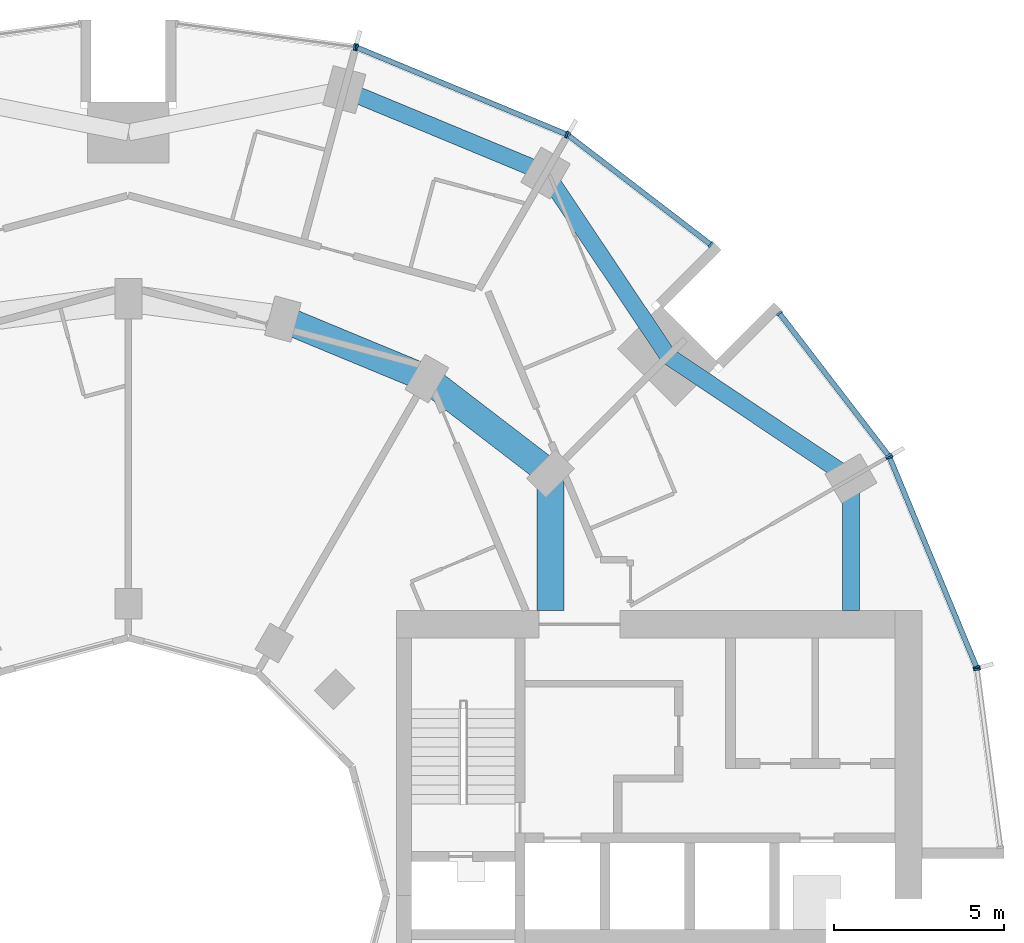
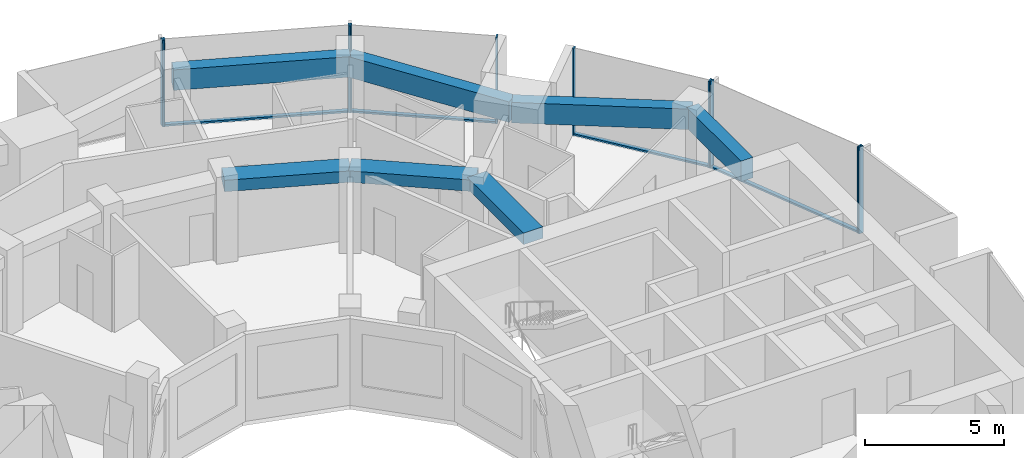
# One storey, part 6 of 15: 14 members, 7 beams, 6 elements without a shape of their own.
"""IFC4 building model written with IfcOpenShell, lengths in metres."""

from ifc_helpers import new_model, si_unit, direction, frame, origin, origin_2d, place, context, subcontext, project, spatial, rectangle, extrude, material, layer, layer_set, material_profile, profile_set, type_object, element, aggregate, save


model = new_model("IFC4")

# Units and contexts
model_context = context("Model", 3, precision=1e-05, world=origin(), true_north=direction((0.0, 1.0)))
body_context = subcontext(model_context, "Body", "Model", "MODEL_VIEW")
ifc_project = project(units=[si_unit("LENGTHUNIT", "METRE"), si_unit("AREAUNIT", "SQUARE_METRE"), si_unit("VOLUMEUNIT", "CUBIC_METRE"), si_unit("PLANEANGLEUNIT", "RADIAN"), si_unit("MASSUNIT", "GRAM", prefix="KILO")], contexts=[model_context])

# Site, building, storey
site_placement = place(None, origin())
site = spatial("IfcSite", under=ifc_project, at=site_placement, CompositionType="ELEMENT")
building_placement = place(site_placement, origin())
building = spatial("IfcBuilding", under=site, at=building_placement, Name="Torre Brocal", CompositionType="ELEMENT")
storey_placement = place(building_placement, frame((0.0, 0.0, 86.199951171875)))
storey = spatial("IfcBuildingStorey", under=building, at=storey_placement, Name="L19", CompositionType="ELEMENT", Elevation=86.199951171875)

# Curtain wall, members
ifc_material_1 = material(Name="Aluminium and glass", Category="aluminium")
ifc_layer_1 = layer(ifc_material_1, 0.199951171875)
ifc_layer_set_1 = layer_set([ifc_layer_1], Name="Aluminium and glass")
curtain_wall_type_1 = type_object("IfcCurtainWallType", Name="CW-1 CURTAIN WALL 3800 HIGH", PredefinedType="NOTDEFINED", material=ifc_layer_set_1)
curtain_wall_1_placement = place(storey_placement, origin())
curtain_wall_1 = element("IfcCurtainWall", 1, at=curtain_wall_1_placement, inside=storey, type_object=curtain_wall_type_1, Name="CW-1 RUN 2", PredefinedType="NOTDEFINED")
ifc_material_2 = material(Name="Aluminium, dark anodised", Category="aluminium")
ifc_material_profile_1 = material_profile(ifc_material_2, rectangle(XDim=0.199951171875, YDim=0.06005859375, at=origin_2d()), Name="CW-1 MULLION 60X200")
ifc_profile_set_1 = profile_set([ifc_material_profile_1], Name="Aluminium, dark anodised")
member_type_1 = type_object("IfcMemberType", Name="CW-1 MULLION 60X200", PredefinedType="MULLION", material=ifc_profile_set_1)
member_1_placement = place(storey_placement, frame((105.005126953125, 81.73095703125, 0.0), z_axis=(0.0, 0.0, 1.0), x_axis=(-0.923879532525, -0.382683432333, 0.0)))
member_1 = element("IfcMember", 2, at=member_1_placement, type_object=member_type_1, Name="CW1-1 mullion 1", PredefinedType="MULLION", context=body_context, shape_type="SweptSolid", body=[
    extrude(rectangle(XDim=0.199951171875, YDim=0.06005859375, at=origin_2d()), origin(), (0.0, 0.0, 1.0), 3.800048828125),
])
member_2_placement = place(storey_placement, frame((102.440673828125, 87.921875, 0.0), z_axis=(0.0, 0.0, 1.0), x_axis=(-0.923879532525, -0.382683432333, 0.0)))
member_2 = element("IfcMember", 3, at=member_2_placement, type_object=member_type_1, Name="CW1-1 mullion 2", PredefinedType="MULLION", context=body_context, shape_type="SweptSolid", body=[
    extrude(rectangle(XDim=0.199951171875, YDim=0.06005859375, at=origin_2d()), origin(), (0.0, 0.0, 1.0), 3.800048828125),
])

curtain_wall_2_placement = place(storey_placement, origin())
curtain_wall_2 = element("IfcCurtainWall", 4, at=curtain_wall_2_placement, inside=storey, type_object=curtain_wall_type_1, Name="CW-1 RUN 3", PredefinedType="NOTDEFINED")
member_3_placement = place(storey_placement, frame((102.4111328125, 87.973388671875, 0.0), z_axis=(0.0, 0.0, 1.0), x_axis=(-0.793353340259, -0.60876142905, 0.0)))
member_3 = element("IfcMember", 5, at=member_3_placement, type_object=member_type_1, Name="CW1-1 mullion 1", PredefinedType="MULLION", context=body_context, shape_type="SweptSolid", body=[
    extrude(rectangle(XDim=0.199951171875, YDim=0.06005859375, at=origin_2d()), origin(), (0.0, 0.0, 1.0), 3.800048828125),
])
member_4_placement = place(storey_placement, frame((99.19140625, 92.16943359375, 0.0), z_axis=(0.0, 0.0, 1.0), x_axis=(-0.793353340259, -0.60876142905, 0.0)))
member_4 = element("IfcMember", 6, at=member_4_placement, type_object=member_type_1, Name="CW1-1 mullion 2", PredefinedType="MULLION", context=body_context, shape_type="SweptSolid", body=[
    extrude(rectangle(XDim=0.199951171875, YDim=0.06005859375, at=origin_2d()), origin(), (0.0, 0.0, 1.0), 3.800048828125),
])

curtain_wall_3_placement = place(storey_placement, origin())
curtain_wall_3 = element("IfcCurtainWall", 7, at=curtain_wall_3_placement, inside=storey, type_object=curtain_wall_type_1, Name="CW-1 RUN 4", PredefinedType="NOTDEFINED")
member_5_placement = place(storey_placement, frame((97.16943359375, 94.19140625, 0.0), z_axis=(0.0, 0.0, 1.0), x_axis=(-0.60876142905, -0.793353340259, 0.0)))
member_5 = element("IfcMember", 8, at=member_5_placement, type_object=member_type_1, Name="CW1-1 mullion 1", PredefinedType="MULLION", context=body_context, shape_type="SweptSolid", body=[
    extrude(rectangle(XDim=0.199951171875, YDim=0.06005859375, at=origin_2d()), origin(), (0.0, 0.0, 1.0), 3.800048828125),
])
member_6_placement = place(storey_placement, frame((92.973388671875, 97.4111328125, 0.0), z_axis=(0.0, 0.0, 1.0), x_axis=(-0.60876142905, -0.793353340259, 0.0)))
member_6 = element("IfcMember", 9, at=member_6_placement, type_object=member_type_1, Name="CW1-1 mullion 2", PredefinedType="MULLION", context=body_context, shape_type="SweptSolid", body=[
    extrude(rectangle(XDim=0.199951171875, YDim=0.06005859375, at=origin_2d()), origin(), (0.0, 0.0, 1.0), 3.800048828125),
])

curtain_wall_4_placement = place(storey_placement, origin())
curtain_wall_4 = element("IfcCurtainWall", 10, at=curtain_wall_4_placement, inside=storey, type_object=curtain_wall_type_1, Name="CW-1 RUN 5", PredefinedType="NOTDEFINED")
member_7_placement = place(storey_placement, frame((92.921875, 97.440673828125, 0.0), z_axis=(0.0, 0.0, 1.0), x_axis=(-0.382683432333, -0.923879532525, 0.0)))
member_7 = element("IfcMember", 11, at=member_7_placement, type_object=member_type_1, Name="CW1-1 mullion 1", PredefinedType="MULLION", context=body_context, shape_type="SweptSolid", body=[
    extrude(rectangle(XDim=0.199951171875, YDim=0.06005859375, at=origin_2d()), origin(), (0.0, 0.0, 1.0), 3.800048828125),
])
member_8_placement = place(storey_placement, frame((86.73095703125, 100.005126953125, 0.0), z_axis=(0.0, 0.0, 1.0), x_axis=(-0.382683432333, -0.923879532525, 0.0)))
member_8 = element("IfcMember", 12, at=member_8_placement, type_object=member_type_1, Name="CW1-1 mullion 2", PredefinedType="MULLION", context=body_context, shape_type="SweptSolid", body=[
    extrude(rectangle(XDim=0.199951171875, YDim=0.06005859375, at=origin_2d()), origin(), (0.0, 0.0, 1.0), 3.800048828125),
])

# Curtain wall, member
curtain_wall_5_placement = place(storey_placement, origin())
curtain_wall_5 = element("IfcCurtainWall", 13, at=curtain_wall_5_placement, inside=storey, type_object=curtain_wall_type_1, Name="CW-1 RUN 6", PredefinedType="NOTDEFINED")
member_9_placement = place(storey_placement, frame((86.67333984375, 100.0205078125, 0.0), z_axis=(0.0, 0.0, 1.0), x_axis=(-0.13052619222, -0.991444861374, 0.0)))
member_9 = element("IfcMember", 14, at=member_9_placement, type_object=member_type_1, Name="CW1-1 mullion 1", PredefinedType="MULLION", context=body_context, shape_type="SweptSolid", body=[
    extrude(rectangle(XDim=0.199951171875, YDim=0.06005859375, at=origin_2d()), origin(), (0.0, 0.0, 1.0), 3.800048828125),
])
aggregate(curtain_wall_5, [member_9])

# Member
ifc_material_3 = material(Name="Aluminium, dark anodised", Category="aluminium")
ifc_material_profile_2 = material_profile(ifc_material_3, rectangle(XDim=0.159912109375, YDim=0.080078125, at=origin_2d()), Name="CW-1 TRANSOM 160X80")
ifc_profile_set_2 = profile_set([ifc_material_profile_2], Name="Aluminium, dark anodised")
member_type_2 = type_object("IfcMemberType", Name="CW-1 TRANSOM 160X80", PredefinedType="USERDEFINED", material=ifc_profile_set_2)
member_10_placement = place(storey_placement, frame((104.99365234375, 81.758544921875, 0.0400390625), z_axis=(-0.38266457234, 0.923887344364, 0.0), x_axis=(-0.923887344364, -0.38266457234, 0.0)))
member_10 = element("IfcMember", 15, at=member_10_placement, type_object=member_type_2, Name="CW1-1 transom 1.1", ObjectType="TRANSOM", PredefinedType="USERDEFINED", context=body_context, shape_type="SweptSolid", body=[
    extrude(rectangle(XDim=0.159912109375, YDim=0.080078125, at=origin_2d()), origin(), (0.0, 0.0, 1.0), 6.640869140625),
])

aggregate(curtain_wall_1, [member_1, member_2, member_10])

member_11_placement = place(storey_placement, frame((102.392822265625, 87.9970703125, 0.0400390625), z_axis=(-0.60874908096, 0.79336281513, 0.0), x_axis=(-0.79336281513, -0.60874908096, 0.0)))
member_11 = element("IfcMember", 16, at=member_11_placement, type_object=member_type_2, Name="CW1-1 transom 1.1", ObjectType="TRANSOM", PredefinedType="USERDEFINED", context=body_context, shape_type="SweptSolid", body=[
    extrude(rectangle(XDim=0.159912109375, YDim=0.080078125, at=origin_2d()), origin(), (0.0, 0.0, 1.0), 5.22900390625),
])

aggregate(curtain_wall_2, [member_3, member_4, member_11])

member_12_placement = place(storey_placement, frame((97.1455078125, 94.209716796875, 0.0400390625), z_axis=(-0.79336281513, 0.60874908096, 0.0), x_axis=(-0.60874908096, -0.79336281513, 0.0)))
member_12 = element("IfcMember", 17, at=member_12_placement, type_object=member_type_2, Name="CW1-1 transom 1.1", ObjectType="TRANSOM", PredefinedType="USERDEFINED", context=body_context, shape_type="SweptSolid", body=[
    extrude(rectangle(XDim=0.159912109375, YDim=0.080078125, at=origin_2d()), origin(), (0.0, 0.0, 1.0), 5.22900390625),
])

aggregate(curtain_wall_3, [member_5, member_6, member_12])

member_13_placement = place(storey_placement, frame((92.89404296875, 97.452392578125, 0.0400390625), z_axis=(-0.923887344364, 0.38266457234, 0.0), x_axis=(-0.38266457234, -0.923887344364, 0.0)))
member_13 = element("IfcMember", 18, at=member_13_placement, type_object=member_type_2, Name="CW1-1 transom 1.1", ObjectType="TRANSOM", PredefinedType="USERDEFINED", context=body_context, shape_type="SweptSolid", body=[
    extrude(rectangle(XDim=0.159912109375, YDim=0.080078125, at=origin_2d()), origin(), (0.0, 0.0, 1.0), 6.640869140625),
])

aggregate(curtain_wall_4, [member_7, member_8, member_13])

# Curtain wall, member
ifc_material_4 = material(Name="Aluminium and glass", Category="aluminium")
ifc_layer_2 = layer(ifc_material_4, 0.199951171875)
ifc_layer_set_2 = layer_set([ifc_layer_2], Name="Aluminium and glass")
curtain_wall_type_2 = type_object("IfcCurtainWallType", Name="CW-1B CURTAIN WALL 3800 HIGH", PredefinedType="NOTDEFINED", material=ifc_layer_set_2)
curtain_wall_6_placement = place(storey_placement, origin())
curtain_wall_6 = element("IfcCurtainWall", 19, at=curtain_wall_6_placement, inside=storey, type_object=curtain_wall_type_2, Name="CW-1B RUN 1", PredefinedType="NOTDEFINED")
ifc_material_5 = material(Name="Aluminium, dark anodised", Category="aluminium")
ifc_material_profile_3 = material_profile(ifc_material_5, rectangle(XDim=0.199951171875, YDim=0.06005859375, at=origin_2d()), Name="CW-1B MULLION 60X200")
ifc_profile_set_3 = profile_set([ifc_material_profile_3], Name="Aluminium, dark anodised")
member_type_3 = type_object("IfcMemberType", Name="CW-1B MULLION 60X200", PredefinedType="MULLION", material=ifc_profile_set_3)
member_14_placement = place(storey_placement, frame((105.0205078125, 81.67333984375, 0.0), z_axis=(0.0, 0.0, 1.0), x_axis=(-0.991444861374, -0.13052619222, 0.0)))
member_14 = element("IfcMember", 20, at=member_14_placement, type_object=member_type_3, Name="CW1B-1 mullion 2", PredefinedType="MULLION", context=body_context, shape_type="SweptSolid", body=[
    extrude(rectangle(XDim=0.199951171875, YDim=0.06005859375, at=origin_2d()), origin(), (0.0, 0.0, 1.0), 3.800048828125),
])
aggregate(curtain_wall_6, [member_14])

# Beams
ifc_material_6 = material(Name="Concrete C50", Category="concrete")
ifc_material_profile_4 = material_profile(ifc_material_6, rectangle(XDim=0.800048828125, YDim=0.5, at=origin_2d()), Name="RC 800X500")
ifc_profile_set_4 = profile_set([ifc_material_profile_4], Name="Concrete C50")
beam_type_1 = type_object("IfcBeamType", Name="RC BEAM 800X500 C50 TOP 3480", PredefinedType="BEAM", material=ifc_profile_set_4)
beam_1_placement = place(storey_placement, frame((92.445068359375, 87.445068359375, 3.22998046875), z_axis=(-0.793358265959, 0.6087550097, 0.0), x_axis=(-0.6087550097, -0.793358265959, 0.0)))
element("IfcBeam", 21, at=beam_1_placement, inside=storey, type_object=beam_type_1, Name="Beam BT-19", PredefinedType="BEAM", context=body_context, shape_type="SweptSolid", body=[
    extrude(rectangle(XDim=0.800048828125, YDim=0.5, at=origin_2d()), origin(), (0.0, 0.0, 1.0), 4.594482421875),
])
beam_2_placement = place(storey_placement, frame((88.800048828125, 90.241943359375, 3.22998046875), z_axis=(-0.923878240166, 0.382686552348, 0.0), x_axis=(-0.382686552348, -0.923878240166, 0.0)))
element("IfcBeam", 22, at=beam_2_placement, inside=storey, type_object=beam_type_1, Name="Beam BT-19", PredefinedType="BEAM", context=body_context, shape_type="SweptSolid", body=[
    extrude(rectangle(XDim=0.800048828125, YDim=0.5, at=origin_2d()), origin(), (0.0, 0.0, 1.0), 4.5947265625),
])
beam_3_placement = place(storey_placement, frame((92.445068359375, 87.445068359375, 3.22998046875), z_axis=(0.0, -1.0, 0.0), x_axis=(1.0, 0.0, 0.0)))
element("IfcBeam", 23, at=beam_3_placement, inside=storey, type_object=beam_type_1, Name="Beam BT-19", PredefinedType="BEAM", context=body_context, shape_type="SweptSolid", body=[
    extrude(rectangle(XDim=0.800048828125, YDim=0.5, at=origin_2d()), origin(), (0.0, 0.0, 1.0), 4.045166015625),
])
ifc_material_7 = material(Name="Concrete C50", Category="concrete")
ifc_material_profile_5 = material_profile(ifc_material_7, rectangle(XDim=0.5, YDim=0.89990234375, at=origin_2d()), Name="RC 500X900")
ifc_profile_set_5 = profile_set([ifc_material_profile_5], Name="Concrete C50")
beam_type_2 = type_object("IfcBeamType", Name="RC SPANDREL BEAM 500X900 C50 TOP 3480", PredefinedType="SPANDREL", material=ifc_profile_set_5)
for number, where, z_axis, x_axis, name in (
    (24, (101.30419921875, 87.300048828125, 3.030029296875), (-0.831076844476, 0.556157602282, 0.0), (-0.556157602282, -0.831076844476, 0.0), "Beam BT-20"),
    (25, (95.909912109375, 90.909912109375, 3.030029296875), (-0.556157602282, 0.831076844476, 0.0), (-0.831076844476, -0.556157602282, 0.0), "Beam BT-20"),
):
    element("IfcBeam", number, at=place(storey_placement, frame(where, z_axis=z_axis, x_axis=x_axis)), inside=storey, type_object=beam_type_2, Name=name, PredefinedType="SPANDREL", context=body_context, shape_type="SweptSolid", body=[
        extrude(rectangle(XDim=0.5, YDim=0.89990234375, at=origin_2d()), origin(), (0.0, 0.0, 1.0), 6.49072265625),
    ])
beam_4_placement = place(storey_placement, frame((92.300048828125, 96.30419921875, 3.030029296875), z_axis=(-0.923882462513, 0.382676358639, 0.0), x_axis=(-0.382676358639, -0.923882462513, 0.0)))
element("IfcBeam", 26, at=beam_4_placement, inside=storey, type_object=beam_type_2, Name="Beam BT-20", PredefinedType="SPANDREL", context=body_context, shape_type="SweptSolid", body=[
    extrude(rectangle(XDim=0.5, YDim=0.89990234375, at=origin_2d()), origin(), (0.0, 0.0, 1.0), 6.421875),
])
beam_5_placement = place(storey_placement, frame((101.30419921875, 87.300048828125, 3.030029296875), z_axis=(0.0, -1.0, 0.0), x_axis=(1.0, 0.0, 0.0)))
element("IfcBeam", 27, at=beam_5_placement, inside=storey, type_object=beam_type_2, Name="Beam BT-20", PredefinedType="SPANDREL", context=body_context, shape_type="SweptSolid", body=[
    extrude(rectangle(XDim=0.5, YDim=0.89990234375, at=origin_2d()), origin(), (0.0, 0.0, 1.0), 3.900146484375),
])

save(model, "model.ifc")
